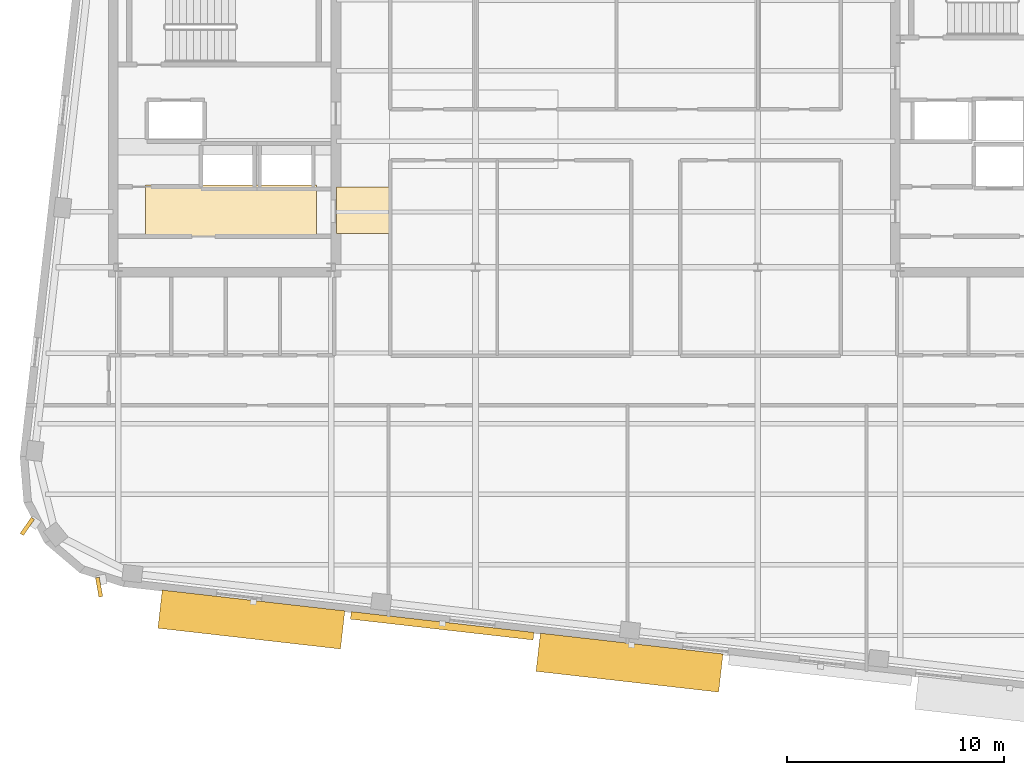
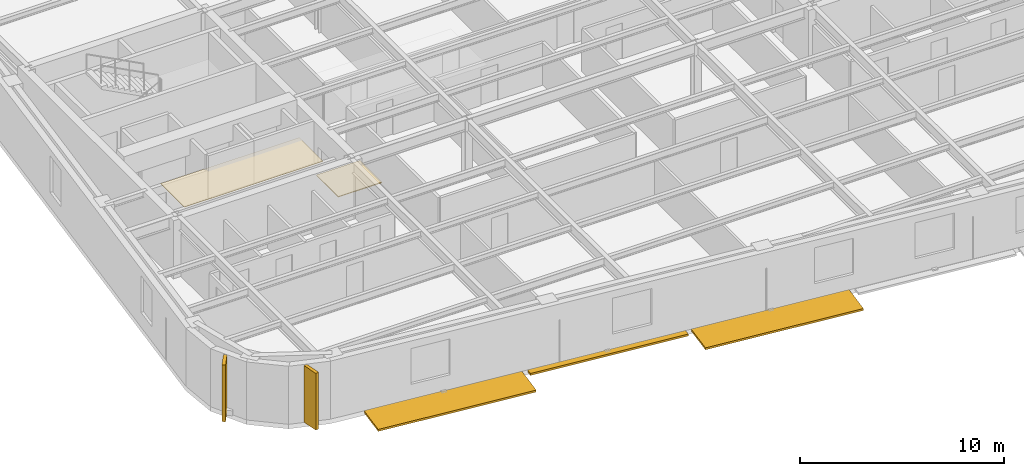
# One storey, part 10 of 14: 5 shading devices, 2 coverings.
"""IFC4 building model written with IfcOpenShell, lengths in metres."""

from ifc_helpers import new_model, si_unit, direction, frame, origin, origin_2d, place, context, subcontext, project, spatial, polyline, rectangle, outline, extrude, material, layer, layer_set, type_object, element, save


model = new_model("IFC4")

# Units and contexts
model_context = context("Model", 3, precision=1e-05, world=origin(), true_north=direction((0.0, 1.0)))
body_context = subcontext(model_context, "Body", "Model", "MODEL_VIEW")
ifc_project = project(units=[si_unit("LENGTHUNIT", "METRE"), si_unit("AREAUNIT", "SQUARE_METRE"), si_unit("VOLUMEUNIT", "CUBIC_METRE"), si_unit("PLANEANGLEUNIT", "RADIAN"), si_unit("MASSUNIT", "GRAM", prefix="KILO")], contexts=[model_context])

# Site, building, storey
site_placement = place(None, origin())
site = spatial("IfcSite", under=ifc_project, at=site_placement, CompositionType="ELEMENT")
building_placement = place(site_placement, origin())
building = spatial("IfcBuilding", under=site, at=building_placement, Name="Kolvaren Arena Tower", CompositionType="ELEMENT")
storey_placement = place(building_placement, frame((0.0, 0.0, 224.699951171875)))
storey = spatial("IfcBuildingStorey", under=building, at=storey_placement, Name="L54", CompositionType="ELEMENT", Elevation=224.699951171875)

# Coverings
ifc_material_1 = material(Name="Moisture-resistant gypsum ceiling", Category="gypsum")
ifc_layer_1 = layer(ifc_material_1, 0.030029296875)
ifc_layer_set_1 = layer_set([ifc_layer_1], Name="Moisture-resistant gypsum ceiling")
covering_type_1 = type_object("IfcCoveringType", Name="CEIL-GYP-1", PredefinedType="CEILING", material=ifc_layer_set_1)
covering_1_placement = place(storey_placement, frame((0.0, 0.0, 2.52001953125)))
element("IfcCovering", 1, at=covering_1_placement, inside=storey, type_object=covering_type_1, Name="Suspended Ceiling (L54)", PredefinedType="CEILING", context=body_context, shape_type="SweptSolid", body=[
    extrude(outline(polyline([(15.820068359375, 20.89990234375), (15.820068359375, 23.239990234375), (23.679931640625, 23.239990234375), (23.679931640625, 20.89990234375), (15.820068359375, 20.89990234375)])), origin(), (0.0, 0.0, 1.0), 0.030029296875),
])
ifc_material_2 = material(Name="Raised access office floor finish", Category="aluminium")
ifc_layer_2 = layer(ifc_material_2, 0.044921875)
ifc_layer_set_2 = layer_set([ifc_layer_2], Name="Raised access office floor finish")
covering_type_2 = type_object("IfcCoveringType", Name="FLOR-RAF-1", PredefinedType="FLOORING", material=ifc_layer_set_2)
covering_2_placement = place(storey_placement, origin())
element("IfcCovering", 2, at=covering_2_placement, inside=storey, type_object=covering_type_2, Name="Floor Finish (L54)", PredefinedType="FLOORING", context=body_context, shape_type="SweptSolid", body=[
    extrude(outline(polyline([(24.60009765625, 21.0), (24.60009765625, 23.14990234375), (27.080078125, 23.14990234375), (27.080078125, 21.0), (24.60009765625, 21.0)])), origin(), (0.0, 0.0, 1.0), 0.045166015625),
])

# Shading devices
ifc_material_3 = material(Name="Precast architectural concrete C50/60 rib fin", Category="concrete")
shading_device_type_1 = type_object("IfcShadingDeviceType", Name="SHAD-FIN-28", PredefinedType="USERDEFINED", material=ifc_material_3)
for number, where, z_axis, x_axis, name in (
    (3, (10.369140625, 7.52001953125, 0.02001953125), (0.0, 0.0, 1.0), (-0.569965213199, -0.821668823641, 0.0), "Precast 28-Deg Corner Rib Fin (L54)"),
    (4, (13.67333984375, 4.722900390625, 0.02001953125), (0.0, 0.0, 1.0), (0.177965872603, -0.984036659982, 0.0), "Precast 28-Deg Corner Rib Fin (L54)"),
):
    element("IfcShadingDevice", number, at=place(storey_placement, frame(where, z_axis=z_axis, x_axis=x_axis)), inside=storey, type_object=shading_device_type_1, Name=name, ObjectType="FIN", PredefinedType="USERDEFINED", context=body_context, shape_type="SweptSolid", body=[
        extrude(rectangle(XDim=0.89990234375, YDim=0.179931640625, at=origin_2d()), origin(), (0.0, 0.0, 1.0), 3.39990234375),
    ])
ifc_material_4 = material(Name="Architectural precast GFRC and anodised aluminium sunshade", Category="concrete")
shading_device_type_2 = type_object("IfcShadingDeviceType", Name="SHAD-SINE-A", PredefinedType="USERDEFINED", material=ifc_material_4)
shading_device_1_placement = place(storey_placement, frame((29.46728515625, 2.946044921875, -0.139892578125), z_axis=(0.0, 0.0, 1.0), x_axis=(-0.993571658098, 0.113204947878, 0.0)))
element("IfcShadingDevice", 5, at=shading_device_1_placement, inside=storey, type_object=shading_device_type_2, Name="Sinusoidal Slab-Edge Sunshade Louvre (L54)", ObjectType="LOUVRE", PredefinedType="USERDEFINED", context=body_context, shape_type="SweptSolid", body=[
    extrude(rectangle(XDim=8.4599609375, YDim=0.35009765625, at=origin_2d()), origin(), (0.0, 0.0, 1.0), 0.1201171875),
])
shading_device_type_3 = type_object("IfcShadingDeviceType", Name="SHAD-SINE-B", PredefinedType="JALOUSIE", material=ifc_material_4)
shading_device_2_placement = place(storey_placement, frame((38.090576171875, 1.24951171875, -0.139892578125), z_axis=(0.0, 0.0, 1.0), x_axis=(-0.993571658098, 0.113204947878, 0.0)))
element("IfcShadingDevice", 6, at=shading_device_2_placement, inside=storey, type_object=shading_device_type_3, Name="Sinusoidal Slab-Edge Sunshade Louvre (L54)", PredefinedType="JALOUSIE", context=body_context, shape_type="SweptSolid", body=[
    extrude(rectangle(XDim=8.4599609375, YDim=1.768798828125, at=origin_2d()), origin(), (0.0, 0.0, 1.0), 0.1201171875),
])
shading_device_3_placement = place(storey_placement, frame((20.683349609375, 3.23388671875, -0.139892578125), z_axis=(0.0, 0.0, 1.0), x_axis=(-0.993571658098, 0.113204947878, 0.0)))
element("IfcShadingDevice", 7, at=shading_device_3_placement, inside=storey, type_object=shading_device_type_3, Name="Sinusoidal Slab-Edge Sunshade Louvre (L54)", PredefinedType="JALOUSIE", context=body_context, shape_type="SweptSolid", body=[
    extrude(rectangle(XDim=8.4599609375, YDim=1.76708984375, at=origin_2d()), origin(), (0.0, 0.0, 1.0), 0.1201171875),
])

save(model, "model.ifc")
